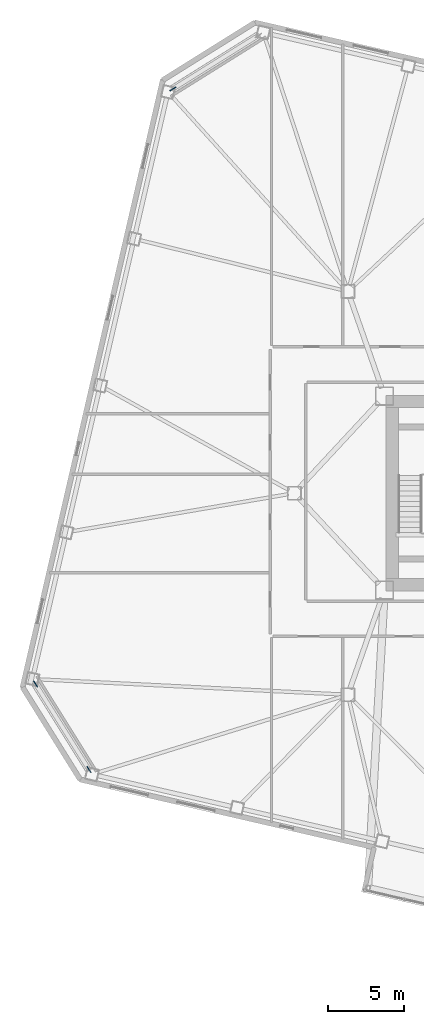
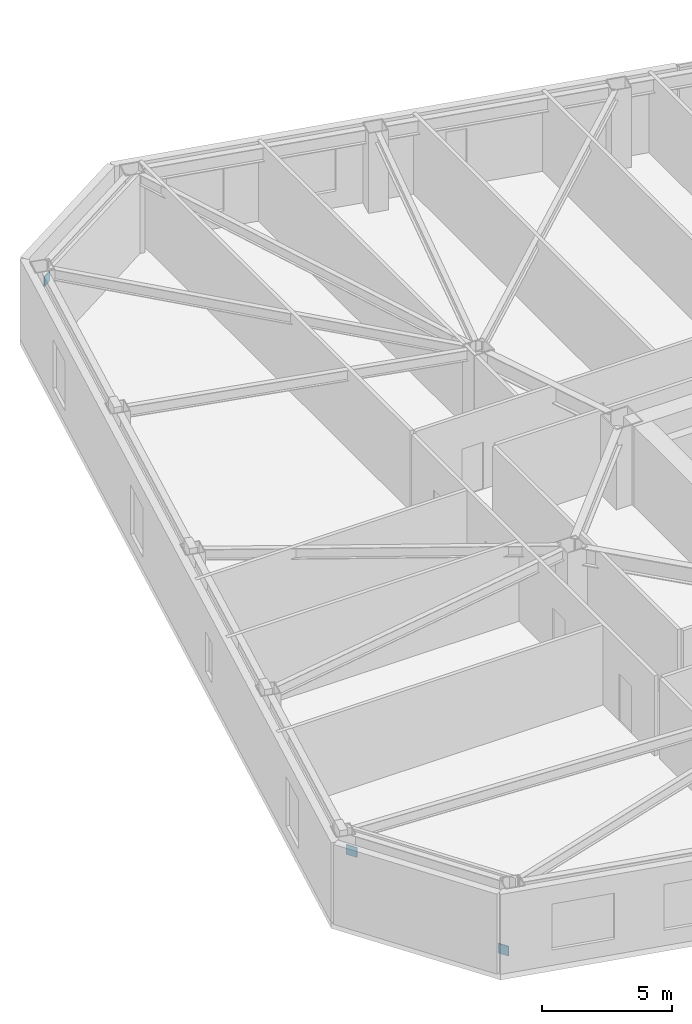
# One storey, part 17 of 21: 3 discrete accessories.
"""IFC4 building model written with IfcOpenShell, lengths in metres."""

from ifc_helpers import new_model, si_unit, direction, frame, origin, origin_2d, place, context, subcontext, project, spatial, rectangle, extrude, material, type_object, element, save


model = new_model("IFC4")

# Units and contexts
model_context = context("Model", 3, precision=1e-05, world=origin(), true_north=direction((0.0, 1.0)))
body_context = subcontext(model_context, "Body", "Model", "MODEL_VIEW")
ifc_project = project(units=[si_unit("LENGTHUNIT", "METRE"), si_unit("AREAUNIT", "SQUARE_METRE"), si_unit("VOLUMEUNIT", "CUBIC_METRE"), si_unit("PLANEANGLEUNIT", "RADIAN"), si_unit("MASSUNIT", "GRAM", prefix="KILO")], contexts=[model_context])

# Site, building, storey
site_placement = place(None, origin())
site = spatial("IfcSite", under=ifc_project, at=site_placement, CompositionType="ELEMENT")
building_placement = place(site_placement, origin())
building = spatial("IfcBuilding", under=site, at=building_placement, Name="Tavrogorsk Clinical Tower", CompositionType="ELEMENT")
storey_placement = place(building_placement, frame((0.0, 0.0, 43.39990234375)))
storey = spatial("IfcBuildingStorey", under=building, at=storey_placement, Name="L08", CompositionType="ELEMENT", Elevation=43.39990234375)

# Discrete accessories
ifc_material = material(Name="Structural steel S440", Category="steel")
discrete_accessory_type = type_object("IfcDiscreteAccessoryType", Name="GussetPlateBracket_25", PredefinedType="BRACKET", material=ifc_material)
for number, where, z_axis, x_axis, name in (
    (1, (-35.951904296875, 26.46240234375, 2.667724609375), (0.0, 0.0, 1.0), (-0.848048096156, -0.529919264233, 0.0), "L08 Brace Gusset Plate EXOCRN-L08-3-B"),
    (2, (-41.453857421875, -18.081787109375, 0.212646484375), (0.0, 0.0, 1.0), (-0.529919264233, 0.848048096156, 0.0), "L08 Brace Gusset Plate EXOCRN-L08-4-A"),
    (3, (-44.94580078125, -12.49365234375, 2.667724609375), (0.0, 0.0, 1.0), (-0.529919264233, 0.848048096156, 0.0), "L08 Brace Gusset Plate EXOCRN-L08-4-B"),
):
    element("IfcDiscreteAccessory", number, at=place(storey_placement, frame(where, z_axis=z_axis, x_axis=x_axis)), inside=storey, type_object=discrete_accessory_type, Name=name, PredefinedType="BRACKET", context=body_context, shape_type="SweptSolid", body=[
        extrude(rectangle(XDim=0.4599609375, YDim=0.0400390625, at=origin_2d()), origin(), (0.0, 0.0, 1.0), 0.4599609375),
    ])

save(model, "model.ifc")
